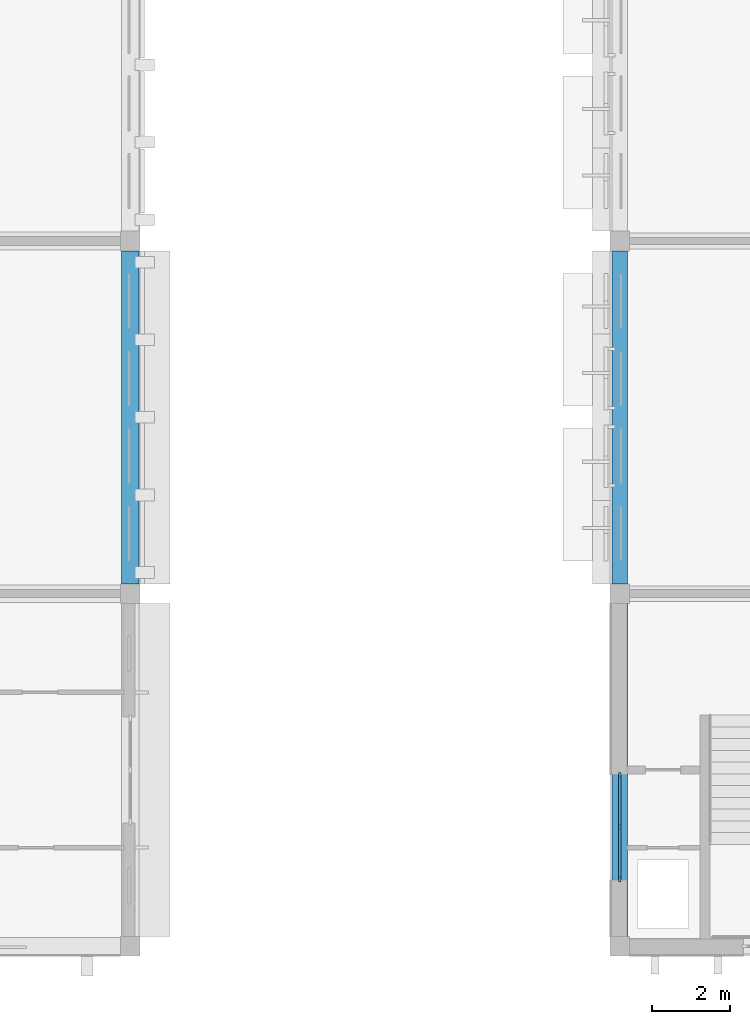
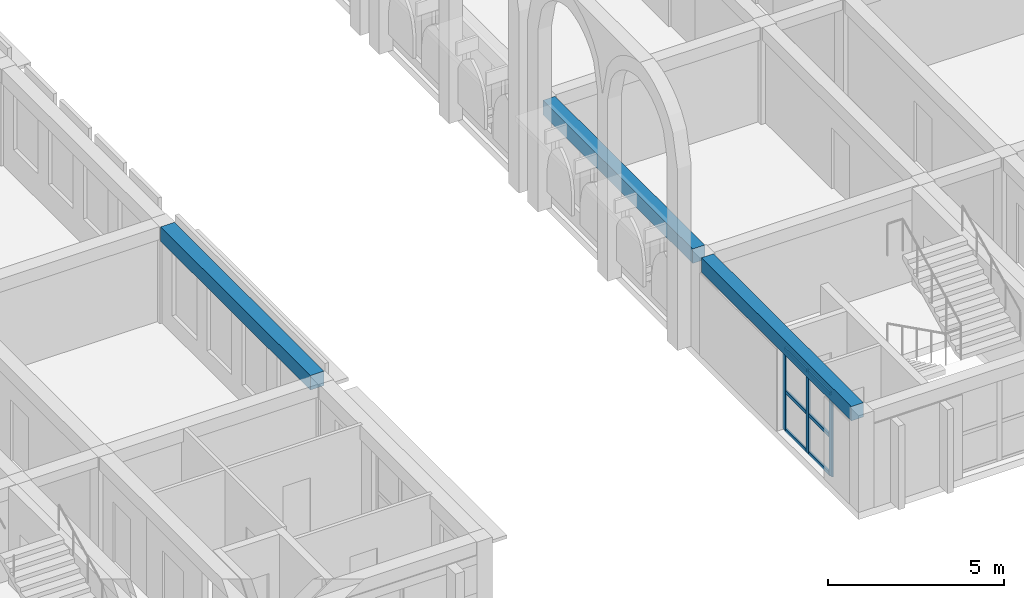
# One storey, part 14 of 70: 9 members, 3 beams, 1 element without a shape of its own.
"""IFC4 building model written with IfcOpenShell, lengths in metres."""

from ifc_helpers import new_model, si_unit, direction, frame, origin, origin_2d, place, context, subcontext, project, spatial, rectangle, extrude, material, layer, layer_set, material_profile, profile_set, type_object, element, aggregate, save


model = new_model("IFC4")

# Units and contexts
model_context = context("Model", 3, precision=1e-05, world=origin(), true_north=direction((0.0, 1.0)))
body_context = subcontext(model_context, "Body", "Model", "MODEL_VIEW")
ifc_project = project(units=[si_unit("LENGTHUNIT", "METRE"), si_unit("AREAUNIT", "SQUARE_METRE"), si_unit("VOLUMEUNIT", "CUBIC_METRE"), si_unit("PLANEANGLEUNIT", "RADIAN"), si_unit("MASSUNIT", "GRAM", prefix="KILO")], contexts=[model_context])

# Site, building, storey
site_placement = place(None, origin())
site = spatial("IfcSite", under=ifc_project, at=site_placement, CompositionType="ELEMENT")
building_placement = place(site_placement, origin())
building = spatial("IfcBuilding", under=site, at=building_placement, Name="Elbe Cascade School", CompositionType="ELEMENT")
storey_placement = place(building_placement, frame((0.0, 0.0, 8.10009765625)))
storey = spatial("IfcBuildingStorey", under=building, at=storey_placement, Name="L02", CompositionType="ELEMENT", Elevation=8.10009765625)

# Curtain wall, members
ifc_material_1 = material(Name="Aluminium frame with double glazing, bronze anodised", Category="aluminium")
ifc_layer = layer(ifc_material_1, 0.159912109375)
ifc_layer_set = layer_set([ifc_layer], Name="Aluminium frame with double glazing, bronze anodised")
curtain_wall_type = type_object("IfcCurtainWallType", Name="Bars envelope Curtain wall, aluminium, bronze anodised, storey-high slot", PredefinedType="NOTDEFINED", material=ifc_layer_set)
curtain_wall_placement = place(storey_placement, origin())
curtain_wall = element("IfcCurtainWall", 1, at=curtain_wall_placement, inside=storey, type_object=curtain_wall_type, Name="Curtain wall CW4 B.L02.w1", PredefinedType="NOTDEFINED")
ifc_material_2 = material(Name="Aluminium mullion, bronze anodised", Category="aluminium")
ifc_material_profile_1 = material_profile(ifc_material_2, rectangle(XDim=0.06005859375, YDim=0.159912109375, at=origin_2d()), Name="Bars envelope Curtain wall mullion 60 x 160, aluminium, storey-high slot")
ifc_profile_set_1 = profile_set([ifc_material_profile_1], Name="Aluminium mullion, bronze anodised")
member_type_1 = type_object("IfcMemberType", Name="Bars envelope Curtain wall mullion 60 x 160, aluminium, storey-high slot", PredefinedType="MULLION", material=ifc_profile_set_1)
member_1_placement = place(storey_placement, frame((98.60009765625, 7.719970703125, 0.0), z_axis=(0.0, 0.0, 1.0), x_axis=(-1.0, 0.0, 0.0)))
member_1 = element("IfcMember", 2, at=member_1_placement, type_object=member_type_1, Name="CW4 mullion 1", PredefinedType="MULLION", context=body_context, shape_type="SweptSolid", body=[
    extrude(rectangle(XDim=0.06005859375, YDim=0.159912109375, at=origin_2d()), origin(), (0.0, 0.0, 1.0), 2.849853515625),
])
member_2_placement = place(storey_placement, frame((98.60009765625, 9.0400390625, 0.0), z_axis=(0.0, 0.0, 1.0), x_axis=(-1.0, 0.0, 0.0)))
member_2 = element("IfcMember", 3, at=member_2_placement, type_object=member_type_1, Name="CW4 mullion 2", PredefinedType="MULLION", context=body_context, shape_type="SweptSolid", body=[
    extrude(rectangle(XDim=0.06005859375, YDim=0.159912109375, at=origin_2d()), origin(), (0.0, 0.0, 1.0), 2.849853515625),
])
member_3_placement = place(storey_placement, frame((98.60009765625, 10.360107421875, 0.0), z_axis=(0.0, 0.0, 1.0), x_axis=(-1.0, 0.0, 0.0)))
member_3 = element("IfcMember", 4, at=member_3_placement, type_object=member_type_1, Name="CW4 mullion 3", PredefinedType="MULLION", context=body_context, shape_type="SweptSolid", body=[
    extrude(rectangle(XDim=0.06005859375, YDim=0.159912109375, at=origin_2d()), origin(), (0.0, 0.0, 1.0), 2.849853515625),
])
ifc_material_3 = material(Name="Aluminium transom, bronze anodised", Category="aluminium")
ifc_material_profile_2 = material_profile(ifc_material_3, rectangle(XDim=0.06005859375, YDim=0.1201171875, at=origin_2d()), Name="Bars envelope Curtain wall transom 60 x 120, aluminium, storey-high slot")
ifc_profile_set_2 = profile_set([ifc_material_profile_2], Name="Aluminium transom, bronze anodised")
member_type_2 = type_object("IfcMemberType", Name="Bars envelope Curtain wall transom 60 x 120, aluminium, storey-high slot", PredefinedType="USERDEFINED", material=ifc_profile_set_2)
member_4_placement = place(storey_placement, frame((98.60009765625, 7.75, 0.02978515625), z_axis=(0.0, 1.0, 0.0), x_axis=(-1.0, 0.0, 0.0)))
member_4 = element("IfcMember", 5, at=member_4_placement, type_object=member_type_2, Name="CW4 transom 1.1", ObjectType="TRANSOM", PredefinedType="USERDEFINED", context=body_context, shape_type="SweptSolid", body=[
    extrude(rectangle(XDim=0.06005859375, YDim=0.1201171875, at=origin_2d()), origin(), (0.0, 0.0, 1.0), 1.260009765625),
])
member_5_placement = place(storey_placement, frame((98.60009765625, 7.75, 1.349853515625), z_axis=(0.0, 1.0, 0.0), x_axis=(-1.0, 0.0, 0.0)))
member_5 = element("IfcMember", 6, at=member_5_placement, type_object=member_type_2, Name="CW4 transom 1.2", ObjectType="TRANSOM", PredefinedType="USERDEFINED", context=body_context, shape_type="SweptSolid", body=[
    extrude(rectangle(XDim=0.06005859375, YDim=0.1201171875, at=origin_2d()), origin(), (0.0, 0.0, 1.0), 1.260009765625),
])
member_6_placement = place(storey_placement, frame((98.60009765625, 7.75, 2.81982421875), z_axis=(0.0, 1.0, 0.0), x_axis=(-1.0, 0.0, 0.0)))
member_6 = element("IfcMember", 7, at=member_6_placement, type_object=member_type_2, Name="CW4 transom 1.3", ObjectType="TRANSOM", PredefinedType="USERDEFINED", context=body_context, shape_type="SweptSolid", body=[
    extrude(rectangle(XDim=0.06005859375, YDim=0.1201171875, at=origin_2d()), origin(), (0.0, 0.0, 1.0), 1.260009765625),
])
member_7_placement = place(storey_placement, frame((98.60009765625, 9.070068359375, 0.02978515625), z_axis=(0.0, 1.0, 0.0), x_axis=(-1.0, 0.0, 0.0)))
member_7 = element("IfcMember", 8, at=member_7_placement, type_object=member_type_2, Name="CW4 transom 2.1", ObjectType="TRANSOM", PredefinedType="USERDEFINED", context=body_context, shape_type="SweptSolid", body=[
    extrude(rectangle(XDim=0.06005859375, YDim=0.1201171875, at=origin_2d()), origin(), (0.0, 0.0, 1.0), 1.260009765625),
])
member_8_placement = place(storey_placement, frame((98.60009765625, 9.070068359375, 1.349853515625), z_axis=(0.0, 1.0, 0.0), x_axis=(-1.0, 0.0, 0.0)))
member_8 = element("IfcMember", 9, at=member_8_placement, type_object=member_type_2, Name="CW4 transom 2.2", ObjectType="TRANSOM", PredefinedType="USERDEFINED", context=body_context, shape_type="SweptSolid", body=[
    extrude(rectangle(XDim=0.06005859375, YDim=0.1201171875, at=origin_2d()), origin(), (0.0, 0.0, 1.0), 1.260009765625),
])
member_9_placement = place(storey_placement, frame((98.60009765625, 9.070068359375, 2.81982421875), z_axis=(0.0, 1.0, 0.0), x_axis=(-1.0, 0.0, 0.0)))
member_9 = element("IfcMember", 10, at=member_9_placement, type_object=member_type_2, Name="CW4 transom 2.3", ObjectType="TRANSOM", PredefinedType="USERDEFINED", context=body_context, shape_type="SweptSolid", body=[
    extrude(rectangle(XDim=0.06005859375, YDim=0.1201171875, at=origin_2d()), origin(), (0.0, 0.0, 1.0), 1.260009765625),
])
aggregate(curtain_wall, [member_1, member_2, member_3, member_4, member_5, member_6, member_7, member_8, member_9])

# Beams
ifc_material_4 = material(Name="Concrete C30/37", Category="concrete")
ifc_material_profile_3 = material_profile(ifc_material_4, rectangle(XDim=0.39990234375, YDim=0.5, at=origin_2d()), Name="RC 400x500")
ifc_profile_set_3 = profile_set([ifc_material_profile_3], Name="Concrete C30/37")
beam_type_1 = type_object("IfcBeamType", Name="RC 400x500 beam", PredefinedType="BEAM", material=ifc_profile_set_3)
for number, where, z_axis, x_axis, name in (
    (11, (98.60009765625, 6.25, 3.099853515625), (0.0, 1.0, 0.0), (-1.0, 0.0, 0.0), "RC 400x500 beam B1"),
    (12, (98.60009765625, 15.25, 3.099853515625), (0.0, 1.0, 0.0), (-1.0, 0.0, 0.0), "RC 400x500 beam B1"),
):
    element("IfcBeam", number, at=place(storey_placement, frame(where, z_axis=z_axis, x_axis=x_axis)), inside=storey, type_object=beam_type_1, Name=name, PredefinedType="BEAM", context=body_context, shape_type="SweptSolid", body=[
        extrude(rectangle(XDim=0.39990234375, YDim=0.5, at=origin_2d()), origin(), (0.0, 0.0, 1.0), 8.5),
    ])
ifc_material_5 = material(Name="Concrete C30/37", Category="concrete")
ifc_material_profile_4 = material_profile(ifc_material_5, rectangle(XDim=0.449951171875, YDim=0.5, at=origin_2d()), Name="RC 450x500")
ifc_profile_set_4 = profile_set([ifc_material_profile_4], Name="Concrete C30/37")
beam_type_2 = type_object("IfcBeamType", Name="RC 450x500 beam", PredefinedType="BEAM", material=ifc_profile_set_4)
beam_placement = place(storey_placement, frame((86.10009765625, 15.25, 3.099853515625), z_axis=(0.0, 1.0, 0.0), x_axis=(-1.0, 0.0, 0.0)))
element("IfcBeam", 13, at=beam_placement, inside=storey, type_object=beam_type_2, Name="RC 450x500 beam B9", PredefinedType="BEAM", context=body_context, shape_type="SweptSolid", body=[
    extrude(rectangle(XDim=0.449951171875, YDim=0.5, at=origin_2d()), origin(), (0.0, 0.0, 1.0), 8.5),
])

save(model, "model.ifc")
